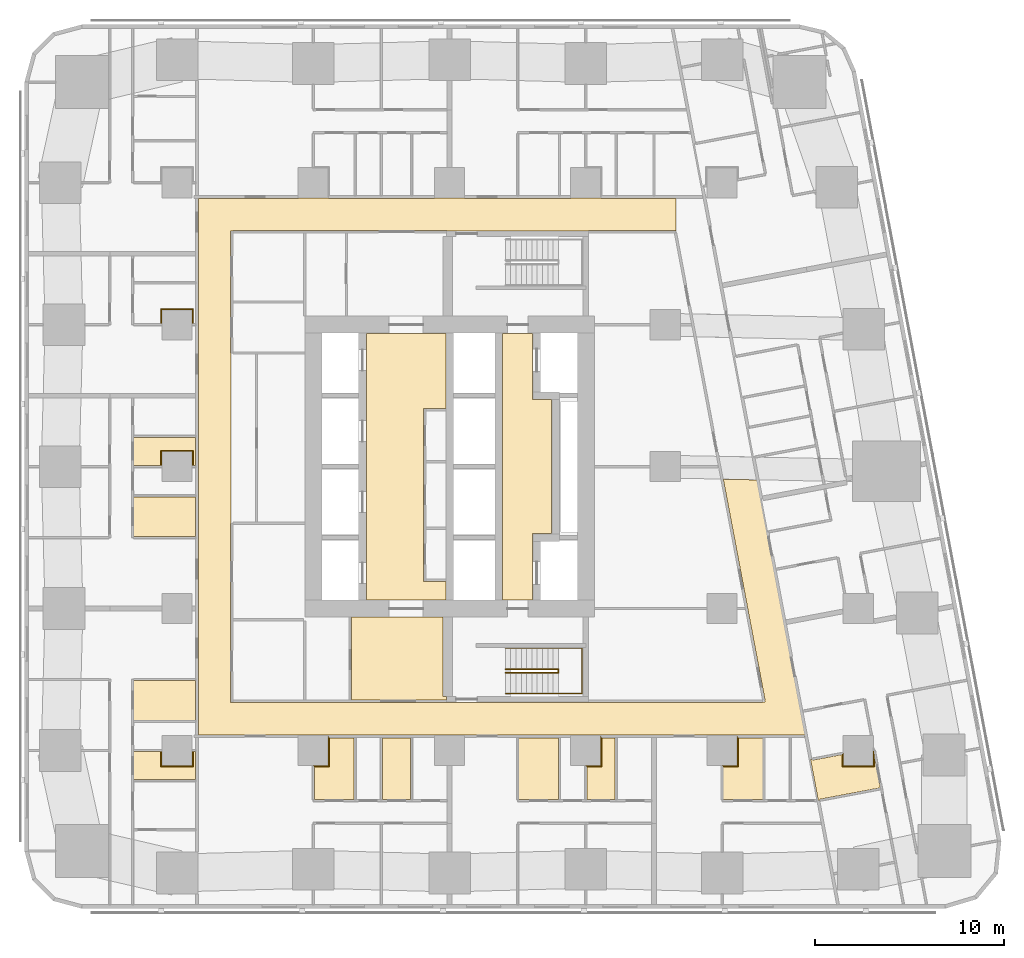
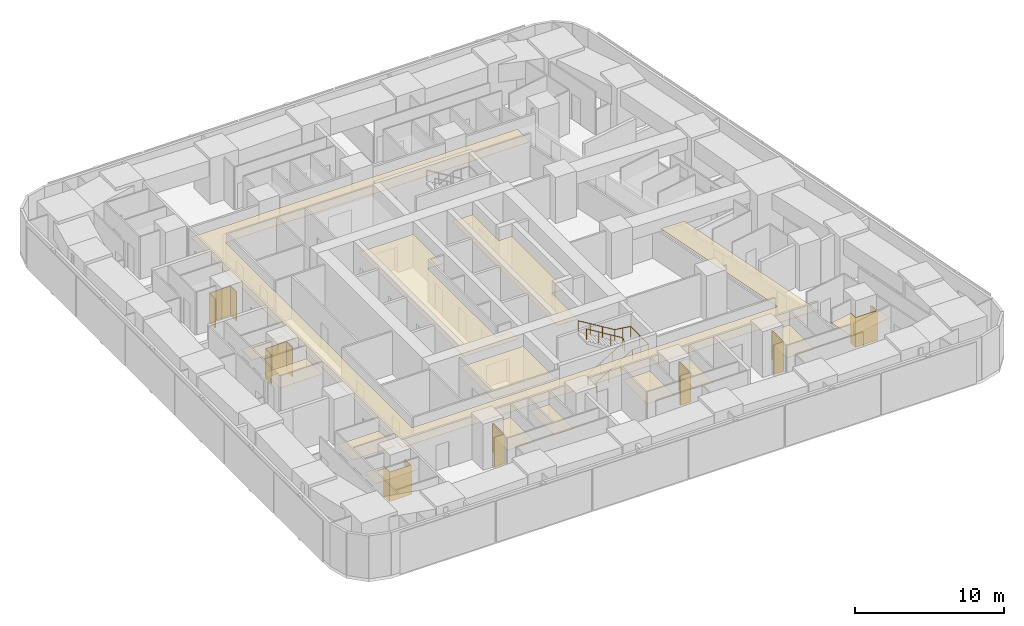
# One storey, part 13 of 15: 21 coverings, 2 railings.
"""IFC4 building model written with IfcOpenShell, lengths in metres."""

from ifc_helpers import new_model, si_unit, direction, frame, origin, origin_2d, place, context, subcontext, project, spatial, polyline, circle, outline, extrude, material, layer, layer_set, type_object, element, save


model = new_model("IFC4")

# Units and contexts
model_context = context("Model", 3, precision=1e-05, world=origin(), true_north=direction((0.0, 1.0)))
body_context = subcontext(model_context, "Body", "Model", "MODEL_VIEW")
ifc_project = project(units=[si_unit("LENGTHUNIT", "METRE"), si_unit("AREAUNIT", "SQUARE_METRE"), si_unit("VOLUMEUNIT", "CUBIC_METRE"), si_unit("PLANEANGLEUNIT", "RADIAN"), si_unit("MASSUNIT", "GRAM", prefix="KILO")], contexts=[model_context])

# Site, building, storey
site_placement = place(None, origin())
site = spatial("IfcSite", under=ifc_project, at=site_placement, CompositionType="ELEMENT")
building_placement = place(site_placement, origin())
building = spatial("IfcBuilding", under=site, at=building_placement, Name="Sheger Commons Tower", CompositionType="ELEMENT")
storey_placement = place(building_placement, frame((0.0, 0.0, 100.39990234375)))
storey = spatial("IfcBuildingStorey", under=building, at=storey_placement, Name="L25", CompositionType="ELEMENT", Elevation=100.39990234375)

# Railings
ifc_material_1 = material(Name="Steel handrail, black powder-coated", Category="steel")
railing_type = type_object("IfcRailingType", Name="HANDRAIL 900", PredefinedType="HANDRAIL", material=ifc_material_1)
railing_1_placement = place(storey_placement, frame((24.550048828125, 11.60009765625, 0.170654296875)))
element("IfcRailing", 1, at=railing_1_placement, inside=storey, type_object=railing_type, Name="Stair S1 handrail L25", PredefinedType="HANDRAIL", context=body_context, shape_type="SweptSolid", body=[
    extrude(circle(Radius=0.02392578125, at=origin_2d()), frame((0.0, 0.0, 0.8759765625), z_axis=(0.854202870247, 0.0, 0.519939858505), x_axis=(0.0, 1.0, 0.0)), (0.0, 0.0, 1.0), 3.278076171875),
    extrude(circle(Radius=0.02392578125, at=origin_2d()), frame((2.800048828125, 0.0, 2.580078125), z_axis=(0.0, 0.760631612298, 0.649183757016), x_axis=(-1.0, 0.0, 0.0)), (0.0, 0.0, 1.0), 0.262939453125),
    extrude(circle(Radius=0.02392578125, at=origin_2d()), frame((2.800048828125, 0.199951171875, 2.7509765625), z_axis=(-0.854202870247, 0.0, 0.519939858505), x_axis=(0.0, -1.0, 0.0)), (0.0, 0.0, 1.0), 3.278076171875),
    extrude(circle(Radius=0.02099609375, at=origin_2d()), origin(), (0.0, 0.0, 1.0), 0.851806640625),
    extrude(circle(Radius=0.02099609375, at=origin_2d()), frame((0.933349609375, 0.0, 0.568115234375)), (0.0, 0.0, 1.0), 0.851806640625),
    extrude(circle(Radius=0.02099609375, at=origin_2d()), frame((1.86669921875, 0.0, 1.13623046875)), (0.0, 0.0, 1.0), 0.851806640625),
    extrude(circle(Radius=0.02099609375, at=origin_2d()), frame((2.800048828125, 0.0, 1.704345703125)), (0.0, 0.0, 1.0), 0.851806640625),
    extrude(circle(Radius=0.02099609375, at=origin_2d()), frame((2.800048828125, 0.199951171875, 1.875)), (0.0, 0.0, 1.0), 0.851806640625),
    extrude(circle(Radius=0.02099609375, at=origin_2d()), frame((1.86669921875, 0.199951171875, 2.443115234375)), (0.0, 0.0, 1.0), 0.851806640625),
    extrude(circle(Radius=0.02099609375, at=origin_2d()), frame((0.933349609375, 0.199951171875, 3.01123046875)), (0.0, 0.0, 1.0), 0.851806640625),
    extrude(circle(Radius=0.02099609375, at=origin_2d()), frame((0.0, 0.199951171875, 3.579345703125)), (0.0, 0.0, 1.0), 0.851806640625),
])
railing_2_placement = place(storey_placement, frame((24.550048828125, 10.5, 0.170654296875)))
element("IfcRailing", 2, at=railing_2_placement, inside=storey, type_object=railing_type, Name="Stair S1 handrail L25", PredefinedType="HANDRAIL", context=body_context, shape_type="SweptSolid", body=[
    extrude(circle(Radius=0.02392578125, at=origin_2d()), frame((0.0, 0.0, 0.8759765625), z_axis=(0.854202870247, 0.0, 0.519939858505), x_axis=(0.0, 1.0, 0.0)), (0.0, 0.0, 1.0), 3.278076171875),
    extrude(circle(Radius=0.02392578125, at=origin_2d()), frame((2.800048828125, 0.0, 2.580078125), z_axis=(1.0, 0.0, 0.0), x_axis=(0.0, 1.0, 0.0)), (0.0, 0.0, 1.0), 1.25),
    extrude(circle(Radius=0.02392578125, at=origin_2d()), frame((4.050048828125, 0.0, 2.580078125), z_axis=(0.0, 1.0, 0.0), x_axis=(-1.0, 0.0, 0.0)), (0.0, 0.0, 1.0), 2.39990234375),
    extrude(circle(Radius=0.02392578125, at=origin_2d()), frame((4.050048828125, 2.39990234375, 2.580078125), z_axis=(-0.990808959222, 0.0, 0.135268645019), x_axis=(0.0, -1.0, 0.0)), (0.0, 0.0, 1.0), 1.261474609375),
    extrude(circle(Radius=0.02392578125, at=origin_2d()), frame((2.800048828125, 2.39990234375, 2.7509765625), z_axis=(-0.854202870247, 0.0, 0.519939858505), x_axis=(0.0, -1.0, 0.0)), (0.0, 0.0, 1.0), 3.278076171875),
    extrude(circle(Radius=0.02099609375, at=origin_2d()), origin(), (0.0, 0.0, 1.0), 0.851806640625),
    extrude(circle(Radius=0.02099609375, at=origin_2d()), frame((0.933349609375, 0.0, 0.568115234375)), (0.0, 0.0, 1.0), 0.851806640625),
    extrude(circle(Radius=0.02099609375, at=origin_2d()), frame((1.86669921875, 0.0, 1.13623046875)), (0.0, 0.0, 1.0), 0.851806640625),
    extrude(circle(Radius=0.02099609375, at=origin_2d()), frame((2.800048828125, 0.0, 1.704345703125)), (0.0, 0.0, 1.0), 0.851806640625),
    extrude(circle(Radius=0.02099609375, at=origin_2d()), frame((3.425048828125, 0.0, 1.704345703125)), (0.0, 0.0, 1.0), 0.851806640625),
    extrude(circle(Radius=0.02099609375, at=origin_2d()), frame((4.050048828125, 0.0, 1.704345703125)), (0.0, 0.0, 1.0), 0.851806640625),
    extrude(circle(Radius=0.02099609375, at=origin_2d()), frame((4.050048828125, 1.199951171875, 1.704345703125)), (0.0, 0.0, 1.0), 0.851806640625),
    extrude(circle(Radius=0.02099609375, at=origin_2d()), frame((4.050048828125, 2.39990234375, 1.704345703125)), (0.0, 0.0, 1.0), 0.851806640625),
    extrude(circle(Radius=0.02099609375, at=origin_2d()), frame((3.425048828125, 2.39990234375, 1.78955078125)), (0.0, 0.0, 1.0), 0.851806640625),
    extrude(circle(Radius=0.02099609375, at=origin_2d()), frame((2.800048828125, 2.39990234375, 1.875)), (0.0, 0.0, 1.0), 0.851806640625),
    extrude(circle(Radius=0.02099609375, at=origin_2d()), frame((1.86669921875, 2.39990234375, 2.443115234375)), (0.0, 0.0, 1.0), 0.851806640625),
    extrude(circle(Radius=0.02099609375, at=origin_2d()), frame((0.933349609375, 2.39990234375, 3.01123046875)), (0.0, 0.0, 1.0), 0.851806640625),
    extrude(circle(Radius=0.02099609375, at=origin_2d()), frame((0.0, 2.39990234375, 3.579345703125)), (0.0, 0.0, 1.0), 0.851806640625),
])

# Coverings
ifc_material_2 = material(Name="Moisture-resistant gypsum plasterboard 15 mm on a suspended galvanised steel grid", Category="steel")
ifc_layer_1 = layer(ifc_material_2, 0.014892578125)
ifc_layer_set_1 = layer_set([ifc_layer_1], Name="MOISTURE-RESISTANT CEILING 15")
covering_type_1 = type_object("IfcCoveringType", Name="MOISTURE-RESISTANT CEILING 15", PredefinedType="CEILING", material=ifc_layer_set_1)
covering_1_placement = place(storey_placement, frame((0.0, 0.0, 2.400146484375)))
element("IfcCovering", 3, at=covering_1_placement, inside=storey, type_object=covering_type_1, Name="L25-01.B1 ceiling", PredefinedType="CEILING", context=body_context, shape_type="SweptSolid", body=[
    extrude(outline(polyline([(4.905029296875, 9.094970703125), (8.169921875, 9.094970703125), (8.169921875, 11.195068359375), (4.905029296875, 11.195068359375), (4.905029296875, 9.094970703125)])), origin(), (0.0, 0.0, 1.0), 0.014892578125),
])
covering_2_placement = place(storey_placement, frame((0.0, 0.0, 2.400146484375)))
element("IfcCovering", 4, at=covering_2_placement, inside=storey, type_object=covering_type_1, Name="L25-01.B2 ceiling", PredefinedType="CEILING", context=body_context, shape_type="SweptSolid", body=[
    extrude(outline(polyline([(4.905029296875, 5.955078125), (8.169921875, 5.955078125), (8.169921875, 7.445068359375), (8.0048828125, 7.445068359375), (8.0048828125, 6.695068359375), (6.39501953125, 6.695068359375), (6.39501953125, 7.445068359375), (4.905029296875, 7.445068359375), (4.905029296875, 5.955078125)])), origin(), (0.0, 0.0, 1.0), 0.014892578125),
])
covering_3_placement = place(storey_placement, frame((0.0, 0.0, 2.400146484375)))
element("IfcCovering", 5, at=covering_3_placement, inside=storey, type_object=covering_type_1, Name="L25-02.B1 ceiling", PredefinedType="CEILING", context=body_context, shape_type="SweptSolid", body=[
    extrude(outline(polyline([(4.905029296875, 18.804931640625), (8.169921875, 18.804931640625), (8.169921875, 20.905029296875), (4.905029296875, 20.905029296875), (4.905029296875, 18.804931640625)])), origin(), (0.0, 0.0, 1.0), 0.014892578125),
])
covering_4_placement = place(storey_placement, frame((0.0, 0.0, 2.400146484375)))
element("IfcCovering", 6, at=covering_4_placement, inside=storey, type_object=covering_type_1, Name="L25-02.B2 ceiling", PredefinedType="CEILING", context=body_context, shape_type="SweptSolid", body=[
    extrude(outline(polyline([(4.905029296875, 22.554931640625), (6.39501953125, 22.554931640625), (6.39501953125, 23.304931640625), (8.0048828125, 23.304931640625), (8.0048828125, 22.554931640625), (8.169921875, 22.554931640625), (8.169921875, 24.044921875), (4.905029296875, 24.044921875), (4.905029296875, 22.554931640625)])), origin(), (0.0, 0.0, 1.0), 0.014892578125),
])
covering_5_placement = place(storey_placement, frame((0.0, 0.0, 2.400146484375)))
element("IfcCovering", 7, at=covering_5_placement, inside=storey, type_object=covering_type_1, Name="L25-05.B1 ceiling", PredefinedType="CEILING", context=body_context, shape_type="SweptSolid", body=[
    extrude(outline(polyline([(14.455078125, 4.905029296875), (16.554931640625, 4.905029296875), (16.554931640625, 8.169921875), (15.205078125, 8.169921875), (15.205078125, 6.695068359375), (14.455078125, 6.695068359375), (14.455078125, 4.905029296875)])), origin(), (0.0, 0.0, 1.0), 0.014892578125),
])
covering_6_placement = place(storey_placement, frame((0.0, 0.0, 2.400146484375)))
element("IfcCovering", 8, at=covering_6_placement, inside=storey, type_object=covering_type_1, Name="L25-05.B2 ceiling", PredefinedType="CEILING", context=body_context, shape_type="SweptSolid", body=[
    extrude(outline(polyline([(18.054931640625, 4.905029296875), (19.544921875, 4.905029296875), (19.544921875, 8.169921875), (18.054931640625, 8.169921875), (18.054931640625, 4.905029296875)])), origin(), (0.0, 0.0, 1.0), 0.014892578125),
])
covering_7_placement = place(storey_placement, frame((0.0, 0.0, 2.400146484375)))
element("IfcCovering", 9, at=covering_7_placement, inside=storey, type_object=covering_type_1, Name="L25-06.B1 ceiling", PredefinedType="CEILING", context=body_context, shape_type="SweptSolid", body=[
    extrude(outline(polyline([(25.2548828125, 4.905029296875), (27.35498046875, 4.905029296875), (27.35498046875, 8.169921875), (25.2548828125, 8.169921875), (25.2548828125, 4.905029296875)])), origin(), (0.0, 0.0, 1.0), 0.014892578125),
])
covering_8_placement = place(storey_placement, frame((0.0, 0.0, 2.400146484375)))
element("IfcCovering", 10, at=covering_8_placement, inside=storey, type_object=covering_type_1, Name="L25-06.B2 ceiling", PredefinedType="CEILING", context=body_context, shape_type="SweptSolid", body=[
    extrude(outline(polyline([(28.85498046875, 4.905029296875), (30.344970703125, 4.905029296875), (30.344970703125, 8.169921875), (29.60498046875, 8.169921875), (29.60498046875, 6.695068359375), (28.85498046875, 6.695068359375), (28.85498046875, 4.905029296875)])), origin(), (0.0, 0.0, 1.0), 0.014892578125),
])
covering_9_placement = place(storey_placement, frame((0.0, 0.0, 2.400146484375)))
element("IfcCovering", 11, at=covering_9_placement, inside=storey, type_object=covering_type_1, Name="L25-07.B1 ceiling", PredefinedType="CEILING", context=body_context, shape_type="SweptSolid", body=[
    extrude(outline(polyline([(36.054931640625, 4.905029296875), (38.155029296875, 4.905029296875), (38.155029296875, 8.169921875), (36.804931640625, 8.169921875), (36.804931640625, 6.695068359375), (36.054931640625, 6.695068359375), (36.054931640625, 4.905029296875)])), origin(), (0.0, 0.0, 1.0), 0.014892578125),
])
covering_10_placement = place(storey_placement, frame((0.0, 0.0, 2.400146484375)))
element("IfcCovering", 12, at=covering_10_placement, inside=storey, type_object=covering_type_1, Name="L25-11.B1 ceiling", PredefinedType="CEILING", context=body_context, shape_type="SweptSolid", body=[
    extrude(outline(polyline([(41.087890625, 4.85205078125), (41.156005859375, 4.864990234375), (41.14599609375, 4.9189453125), (44.364013671875, 5.527099609375), (44.007080078125, 7.4150390625), (44.0048828125, 7.4150390625), (44.0048828125, 6.695068359375), (42.39501953125, 6.695068359375), (42.39501953125, 7.29296875), (40.756103515625, 6.98291015625), (40.74609375, 7.037109375), (40.677001953125, 7.02392578125), (41.087890625, 4.85205078125)])), origin(), (0.0, 0.0, 1.0), 0.014892578125),
])
ifc_material_3 = material(Name="Gypsum plasterboard 15 mm on a suspended steel grid", Category="steel")
ifc_layer_2 = layer(ifc_material_3, 0.014892578125)
ifc_layer_set_2 = layer_set([ifc_layer_2], Name="SUSPENDED CEILING 15")
covering_type_2 = type_object("IfcCoveringType", Name="SUSPENDED CEILING 15", PredefinedType="CEILING", material=ifc_layer_set_2)
covering_11_placement = place(storey_placement, frame((0.0, 0.0, 2.7001953125)))
element("IfcCovering", 13, at=covering_11_placement, inside=storey, type_object=covering_type_2, Name="L25-CO ceiling", PredefinedType="CEILING", context=body_context, shape_type="SweptSolid", body=[
    extrude(outline(polyline([(40.361083984375, 8.25), (40.446044921875, 8.25), (37.886962890625, 21.7958984375), (36.06591796875, 21.8330078125), (38.26904296875, 10.1708984375), (38.251953125, 10.1669921875), (38.27392578125, 10.050048828125), (38.14306640625, 10.050048828125), (38.14306640625, 10.031982421875), (28.945068359375, 10.031982421875), (28.945068359375, 10.044921875), (21.455078125, 10.044921875), (21.455078125, 10.031982421875), (10.157958984375, 10.031982421875), (10.157958984375, 10.044921875), (10.031982421875, 10.044921875), (10.031982421875, 19.5048828125), (10.050048828125, 19.5048828125), (10.050048828125, 28.4951171875), (10.031982421875, 28.4951171875), (10.031982421875, 34.955078125), (10.157958984375, 34.955078125), (10.157958984375, 34.968017578125), (21.455078125, 34.968017578125), (21.455078125, 34.949951171875), (28.945068359375, 34.949951171875), (28.945068359375, 34.968017578125), (33.54296875, 34.968017578125), (33.54296875, 34.949951171875), (33.568115234375, 34.949951171875), (33.568115234375, 36.669921875), (29.595947265625, 36.669921875), (29.595947265625, 36.695068359375), (28.00390625, 36.695068359375), (28.00390625, 36.669921875), (22.39599609375, 36.669921875), (22.39599609375, 36.695068359375), (20.803955078125, 36.695068359375), (20.803955078125, 36.669921875), (15.196044921875, 36.669921875), (15.196044921875, 36.695068359375), (13.60400390625, 36.695068359375), (13.60400390625, 36.669921875), (8.330078125, 36.669921875), (8.330078125, 8.330078125), (13.60400390625, 8.330078125), (13.60400390625, 8.304931640625), (15.196044921875, 8.304931640625), (15.196044921875, 8.330078125), (20.803955078125, 8.330078125), (20.803955078125, 8.304931640625), (22.39599609375, 8.304931640625), (22.39599609375, 8.330078125), (28.00390625, 8.330078125), (28.00390625, 8.304931640625), (29.595947265625, 8.304931640625), (29.595947265625, 8.330078125), (35.2041015625, 8.330078125), (35.2041015625, 8.304931640625), (36.7958984375, 8.304931640625), (36.7958984375, 8.330078125), (40.361083984375, 8.330078125), (40.361083984375, 8.25)])), origin(), (0.0, 0.0, 1.0), 0.014892578125),
])
covering_12_placement = place(storey_placement, frame((0.0, 0.0, 2.7001953125)))
element("IfcCovering", 14, at=covering_12_placement, inside=storey, type_object=covering_type_2, Name="L25-SVS1 ceiling", PredefinedType="CEILING", context=body_context, shape_type="SweptSolid", body=[
    extrude(outline(polyline([(16.406982421875, 10.16796875), (21.445068359375, 10.16796875), (21.445068359375, 10.344970703125), (21.2451171875, 10.344970703125), (21.2451171875, 14.544921875), (16.406982421875, 14.544921875), (16.406982421875, 10.16796875)])), origin(), (0.0, 0.0, 1.0), 0.014892578125),
])
covering_13_placement = place(storey_placement, frame((0.0, 0.0, 2.7001953125)))
element("IfcCovering", 15, at=covering_13_placement, inside=storey, type_object=covering_type_2, Name="L25-LL ceiling", PredefinedType="CEILING", context=body_context, shape_type="SweptSolid", body=[
    extrude(outline(polyline([(17.205078125, 15.455078125), (21.39990234375, 15.455078125), (21.39990234375, 16.43310546875), (20.35791015625, 16.43310546875), (20.23291015625, 16.43310546875), (20.23291015625, 25.56689453125), (20.35791015625, 25.56689453125), (21.39990234375, 25.56689453125), (21.39990234375, 29.544921875), (17.205078125, 29.544921875), (17.205078125, 15.455078125)])), origin(), (0.0, 0.0, 1.0), 0.014892578125),
])
covering_14_placement = place(storey_placement, frame((0.0, 0.0, 2.7001953125)))
element("IfcCovering", 16, at=covering_14_placement, inside=storey, type_object=covering_type_2, Name="L25-FL ceiling", PredefinedType="CEILING", context=body_context, shape_type="SweptSolid", body=[
    extrude(outline(polyline([(24.405029296875, 15.455078125), (25.9951171875, 15.455078125), (25.9951171875, 18.955078125), (26.9951171875, 18.955078125), (26.9951171875, 26.044921875), (25.9951171875, 26.044921875), (25.9951171875, 29.544921875), (24.405029296875, 29.544921875), (24.405029296875, 15.455078125)])), origin(), (0.0, 0.0, 1.0), 0.014892578125),
])
ifc_material_4 = material(Name="Moisture-resistant gypsum board 12.5 mm on 25 mm treated timber battens, tanked and tiled", Category="wood")
ifc_layer_3 = layer(ifc_material_4, 0.050048828125)
ifc_layer_set_3 = layer_set([ifc_layer_3], Name="WET-ROOM COLUMN LINING")
covering_type_3 = type_object("IfcCoveringType", Name="WET-ROOM COLUMN LINING", PredefinedType="CLADDING", material=ifc_layer_set_3)
covering_15_placement = place(storey_placement, origin())
element("IfcCovering", 17, at=covering_15_placement, inside=storey, type_object=covering_type_3, Name="Shower room column lining C9 L25", PredefinedType="CLADDING", context=body_context, shape_type="SweptSolid", body=[
    extrude(outline(polyline([(6.39990234375, 7.5), (6.39990234375, 6.699951171875), (8.0, 6.699951171875), (8.0, 7.5), (8.0009765625, 7.5), (8.0009765625, 7.449951171875), (8.050048828125, 7.449951171875), (8.050048828125, 6.64990234375), (6.35009765625, 6.64990234375), (6.35009765625, 7.449951171875), (6.39892578125, 7.449951171875), (6.39892578125, 7.5), (6.39990234375, 7.5)])), origin(), (0.0, 0.0, 1.0), 2.400146484375),
])
covering_16_placement = place(storey_placement, origin())
element("IfcCovering", 18, at=covering_16_placement, inside=storey, type_object=covering_type_3, Name="Bathroom column lining C9 L25", PredefinedType="CLADDING", context=body_context, shape_type="SweptSolid", body=[
    extrude(outline(polyline([(14.449951171875, 6.64990234375), (14.449951171875, 6.698974609375), (14.39990234375, 6.698974609375), (14.39990234375, 6.699951171875), (15.199951171875, 6.699951171875), (15.199951171875, 8.25), (15.200927734375, 8.25), (15.200927734375, 8.175048828125), (15.25, 8.175048828125), (15.25, 6.64990234375), (14.449951171875, 6.64990234375)])), origin(), (0.0, 0.0, 1.0), 2.400146484375),
])
covering_17_placement = place(storey_placement, origin())
element("IfcCovering", 19, at=covering_17_placement, inside=storey, type_object=covering_type_3, Name="Shower room column lining C9 L25", PredefinedType="CLADDING", context=body_context, shape_type="SweptSolid", body=[
    extrude(outline(polyline([(28.85009765625, 6.64990234375), (28.85009765625, 6.698974609375), (28.800048828125, 6.698974609375), (28.800048828125, 6.699951171875), (29.60009765625, 6.699951171875), (29.60009765625, 8.25), (29.60107421875, 8.25), (29.60107421875, 8.175048828125), (29.64990234375, 8.175048828125), (29.64990234375, 6.64990234375), (28.85009765625, 6.64990234375)])), origin(), (0.0, 0.0, 1.0), 2.400146484375),
])
covering_18_placement = place(storey_placement, origin())
element("IfcCovering", 20, at=covering_18_placement, inside=storey, type_object=covering_type_3, Name="Bathroom column lining C9 L25", PredefinedType="CLADDING", context=body_context, shape_type="SweptSolid", body=[
    extrude(outline(polyline([(36.050048828125, 6.64990234375), (36.050048828125, 6.698974609375), (36.0, 6.698974609375), (36.0, 6.699951171875), (36.800048828125, 6.699951171875), (36.800048828125, 8.25), (36.801025390625, 8.25), (36.801025390625, 8.175048828125), (36.85009765625, 8.175048828125), (36.85009765625, 6.64990234375), (36.050048828125, 6.64990234375)])), origin(), (0.0, 0.0, 1.0), 2.400146484375),
])
covering_19_placement = place(storey_placement, origin())
element("IfcCovering", 21, at=covering_19_placement, inside=storey, type_object=covering_type_3, Name="Bathroom column lining C9 L25", PredefinedType="CLADDING", context=body_context, shape_type="SweptSolid", body=[
    extrude(outline(polyline([(42.39990234375, 7.34912109375), (42.39990234375, 6.699951171875), (44.0, 6.699951171875), (44.0, 7.47998046875), (44.050048828125, 7.215087890625), (44.050048828125, 6.64990234375), (42.35009765625, 6.64990234375), (42.35009765625, 7.2900390625), (42.39892578125, 7.299072265625), (42.389892578125, 7.346923828125), (42.39990234375, 7.34912109375)])), origin(), (0.0, 0.0, 1.0), 2.400146484375),
])
covering_20_placement = place(storey_placement, origin())
element("IfcCovering", 22, at=covering_20_placement, inside=storey, type_object=covering_type_3, Name="Shower room column lining C9 L25", PredefinedType="CLADDING", context=body_context, shape_type="SweptSolid", body=[
    extrude(outline(polyline([(8.050048828125, 23.35009765625), (8.050048828125, 22.550048828125), (8.0009765625, 22.550048828125), (8.0009765625, 22.5), (8.0, 22.5), (8.0, 23.300048828125), (6.39990234375, 23.300048828125), (6.39990234375, 22.5), (6.39892578125, 22.5), (6.39892578125, 22.550048828125), (6.35009765625, 22.550048828125), (6.35009765625, 23.35009765625), (8.050048828125, 23.35009765625)])), origin(), (0.0, 0.0, 1.0), 2.400146484375),
])
covering_21_placement = place(storey_placement, origin())
element("IfcCovering", 23, at=covering_21_placement, inside=storey, type_object=covering_type_3, Name="Bathroom column lining C9 L25", PredefinedType="CLADDING", context=body_context, shape_type="SweptSolid", body=[
    extrude(outline(polyline([(8.050048828125, 30.85009765625), (8.050048828125, 30.050048828125), (8.0009765625, 30.050048828125), (8.0009765625, 30.0), (8.0, 30.0), (8.0, 30.800048828125), (6.39990234375, 30.800048828125), (6.39990234375, 30.0), (6.39892578125, 30.0), (6.39892578125, 30.050048828125), (6.35009765625, 30.050048828125), (6.35009765625, 30.85009765625), (8.050048828125, 30.85009765625)])), origin(), (0.0, 0.0, 1.0), 2.400146484375),
])

save(model, "model.ifc")
